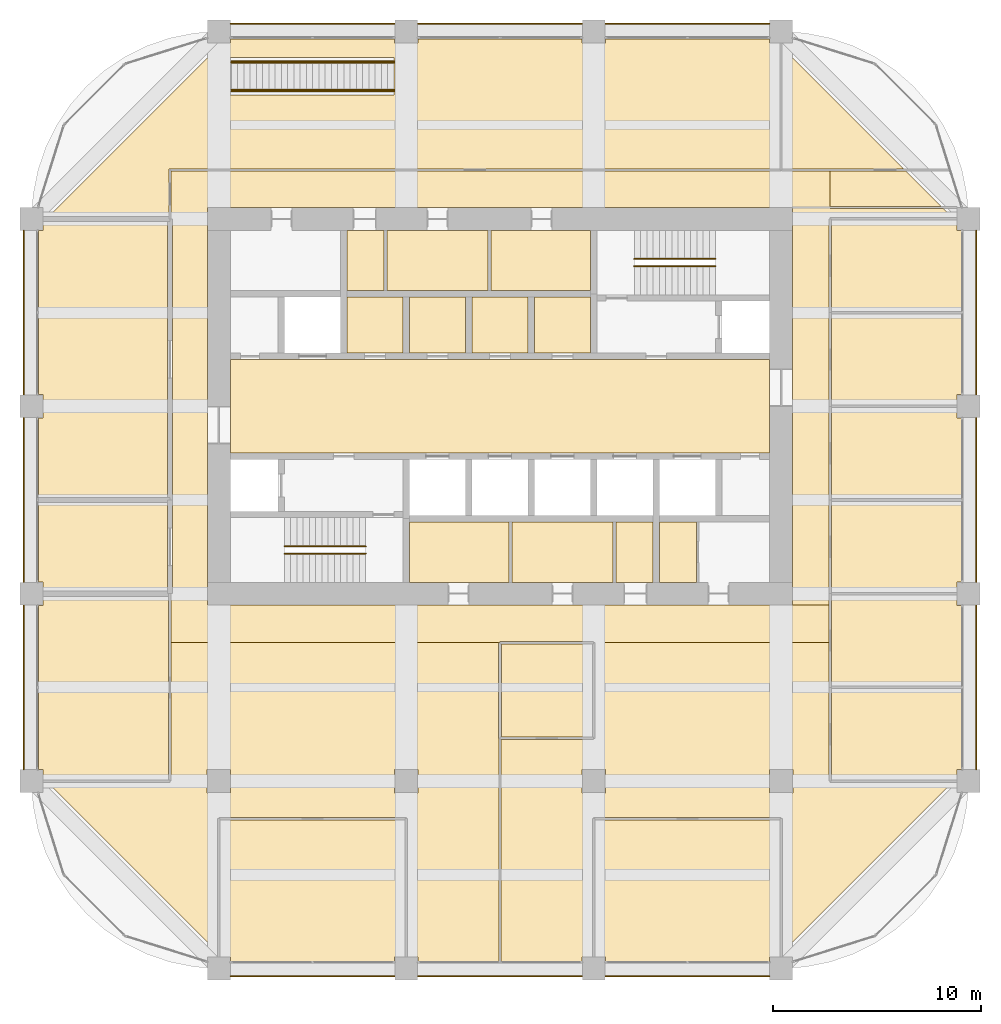
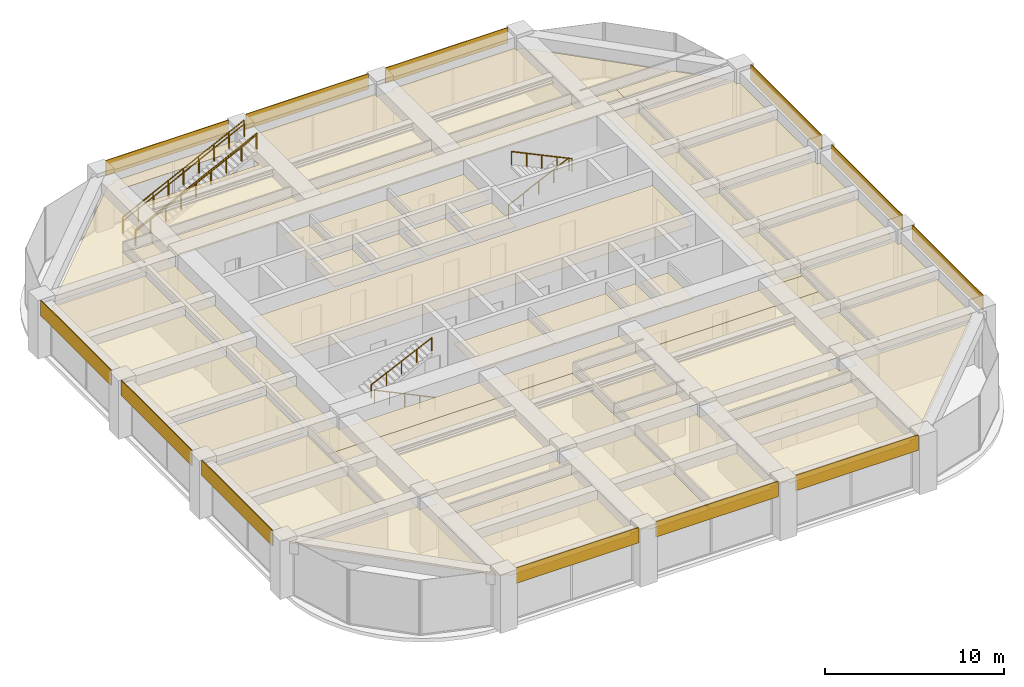
# One storey, part 44 of 44: 43 coverings, 8 railings.
"""IFC4 building model written with IfcOpenShell, lengths in metres."""

from ifc_helpers import new_model, si_unit, direction, frame, frame_2d, origin, origin_2d, place, context, subcontext, project, spatial, polyline, rectangle, circle, outline, extrude, material, layer, layer_set, type_object, element, save


model = new_model("IFC4")

# Units and contexts
model_context = context("Model", 3, precision=1e-05, world=origin(), true_north=direction((0.0, 1.0)))
body_context = subcontext(model_context, "Body", "Model", "MODEL_VIEW")
ifc_project = project(units=[si_unit("LENGTHUNIT", "METRE"), si_unit("AREAUNIT", "SQUARE_METRE"), si_unit("VOLUMEUNIT", "CUBIC_METRE"), si_unit("PLANEANGLEUNIT", "RADIAN"), si_unit("MASSUNIT", "GRAM", prefix="KILO")], contexts=[model_context])

# Site, building, storey
site_placement = place(None, origin())
site = spatial("IfcSite", under=ifc_project, at=site_placement, CompositionType="ELEMENT")
building_placement = place(site_placement, origin())
building = spatial("IfcBuilding", under=site, at=building_placement, Name="Zorevar Civic Tower", CompositionType="ELEMENT")
storey_placement = place(building_placement, frame((0.0, 0.0, 271.39990234375)))
storey = spatial("IfcBuildingStorey", under=building, at=storey_placement, Name="L66", CompositionType="ELEMENT", Elevation=271.39990234375)

# Railings
ifc_material_1 = material(Name="Laminated glass balustrade with black steel handrail", Category="steel")
railing_type_1 = type_object("IfcRailingType", Name="Balustrade BL1 1100", PredefinedType="BALUSTRADE", material=ifc_material_1)
for number, where, name in (
    (1, (18.60009765625, 42.1298828125, 0.148193359375), "Balustrade BL1 interconnecting stair L66"),
    (2, (18.60009765625, 43.570068359375, 0.148193359375), "Balustrade BL1 interconnecting stair L66"),
):
    element("IfcRailing", number, at=place(storey_placement, frame(where)), inside=storey, type_object=railing_type_1, Name=name, PredefinedType="BALUSTRADE", context=body_context, shape_type="SweptSolid", body=[
        extrude(circle(Radius=0.02392578125, at=origin_2d()), frame((0.0, 0.0, 1.076171875), z_axis=(0.896627794226, 0.0, 0.442785047875), x_axis=(0.0, 1.0, 0.0)), (0.0, 0.0, 1.0), 8.698974609375),
        extrude(circle(Radius=0.02099609375, at=origin_2d()), origin(), (0.0, 0.0, 1.0), 1.052001953125),
        extrude(circle(Radius=0.02099609375, at=origin_2d()), frame((0.97509765625, 0.0, 0.4814453125)), (0.0, 0.0, 1.0), 1.052001953125),
        extrude(circle(Radius=0.02099609375, at=origin_2d()), frame((1.949951171875, 0.0, 0.962890625)), (0.0, 0.0, 1.0), 1.052001953125),
        extrude(circle(Radius=0.02099609375, at=origin_2d()), frame((2.9248046875, 0.0, 1.4443359375)), (0.0, 0.0, 1.0), 1.052001953125),
        extrude(circle(Radius=0.02099609375, at=origin_2d()), frame((3.89990234375, 0.0, 1.92578125)), (0.0, 0.0, 1.0), 1.052001953125),
        extrude(circle(Radius=0.02099609375, at=origin_2d()), frame((4.875, 0.0, 2.407470703125)), (0.0, 0.0, 1.0), 1.052001953125),
        extrude(circle(Radius=0.02099609375, at=origin_2d()), frame((5.849853515625, 0.0, 2.888916015625)), (0.0, 0.0, 1.0), 1.052001953125),
        extrude(circle(Radius=0.02099609375, at=origin_2d()), frame((6.82470703125, 0.0, 3.370361328125)), (0.0, 0.0, 1.0), 1.052001953125),
        extrude(circle(Radius=0.02099609375, at=origin_2d()), frame((7.7998046875, 0.0, 3.851806640625)), (0.0, 0.0, 1.0), 1.052001953125),
    ])
ifc_material_2 = material(Name="Black steel handrail", Category="steel")
railing_type_2 = type_object("IfcRailingType", Name="Handrail HR1 900", PredefinedType="HANDRAIL", material=ifc_material_2)
railing_1_placement = place(storey_placement, frame((25.050048828125, 19.925048828125, 0.14306640625)))
element("IfcRailing", 3, at=railing_1_placement, inside=storey, type_object=railing_type_2, Name="Handrail HR1 ST1 L66", PredefinedType="HANDRAIL", context=body_context, shape_type="SweptSolid", body=[
    extrude(circle(Radius=0.02392578125, at=origin_2d()), frame((0.0, 0.0, 0.8759765625), z_axis=(-0.902885590262, 0.0, 0.429880926418), x_axis=(0.0, -1.0, 0.0)), (0.0, 0.0, 1.0), 4.319580078125),
    extrude(circle(Radius=0.02099609375, at=origin_2d()), origin(), (0.0, 0.0, 1.0), 0.851806640625),
    extrude(circle(Radius=0.02099609375, at=origin_2d()), frame((-0.97509765625, 0.0, 0.46435546875)), (0.0, 0.0, 1.0), 0.851806640625),
    extrude(circle(Radius=0.02099609375, at=origin_2d()), frame((-1.9501953125, 0.0, 0.928466796875)), (0.0, 0.0, 1.0), 0.851806640625),
    extrude(circle(Radius=0.02099609375, at=origin_2d()), frame((-2.925048828125, 0.0, 1.392578125)), (0.0, 0.0, 1.0), 0.851806640625),
    extrude(circle(Radius=0.02099609375, at=origin_2d()), frame((-3.900146484375, 0.0, 1.85693359375)), (0.0, 0.0, 1.0), 0.851806640625),
])
for number, where, name in (
    (4, (21.14990234375, 20.27490234375, 2.14306640625), "Handrail HR1 ST1 L66"),
    (5, (37.949951171875, 34.074951171875, 0.14306640625), "Handrail HR1 ST2 L66"),
):
    element("IfcRailing", number, at=place(storey_placement, frame(where)), inside=storey, type_object=railing_type_2, Name=name, PredefinedType="HANDRAIL", context=body_context, shape_type="SweptSolid", body=[
        extrude(circle(Radius=0.02392578125, at=origin_2d()), frame((0.0, 0.0, 0.8759765625), z_axis=(0.902885590262, 0.0, 0.429880926418), x_axis=(0.0, 1.0, 0.0)), (0.0, 0.0, 1.0), 4.319580078125),
        extrude(circle(Radius=0.02099609375, at=origin_2d()), origin(), (0.0, 0.0, 1.0), 0.851806640625),
        extrude(circle(Radius=0.02099609375, at=origin_2d()), frame((0.97509765625, 0.0, 0.46435546875)), (0.0, 0.0, 1.0), 0.851806640625),
        extrude(circle(Radius=0.02099609375, at=origin_2d()), frame((1.9501953125, 0.0, 0.928466796875)), (0.0, 0.0, 1.0), 0.851806640625),
        extrude(circle(Radius=0.02099609375, at=origin_2d()), frame((2.925048828125, 0.0, 1.392578125)), (0.0, 0.0, 1.0), 0.851806640625),
        extrude(circle(Radius=0.02099609375, at=origin_2d()), frame((3.900146484375, 0.0, 1.85693359375)), (0.0, 0.0, 1.0), 0.851806640625),
    ])
railing_2_placement = place(storey_placement, frame((41.85009765625, 33.72509765625, 2.14306640625)))
element("IfcRailing", 6, at=railing_2_placement, inside=storey, type_object=railing_type_2, Name="Handrail HR1 ST2 L66", PredefinedType="HANDRAIL", context=body_context, shape_type="SweptSolid", body=[
    extrude(circle(Radius=0.02392578125, at=origin_2d()), frame((0.0, 0.0, 0.8759765625), z_axis=(-0.902885590262, 0.0, 0.429880926418), x_axis=(0.0, -1.0, 0.0)), (0.0, 0.0, 1.0), 4.319580078125),
    extrude(circle(Radius=0.02099609375, at=origin_2d()), origin(), (0.0, 0.0, 1.0), 0.851806640625),
    extrude(circle(Radius=0.02099609375, at=origin_2d()), frame((-0.97509765625, 0.0, 0.46435546875)), (0.0, 0.0, 1.0), 0.851806640625),
    extrude(circle(Radius=0.02099609375, at=origin_2d()), frame((-1.9501953125, 0.0, 0.928466796875)), (0.0, 0.0, 1.0), 0.851806640625),
    extrude(circle(Radius=0.02099609375, at=origin_2d()), frame((-2.925048828125, 0.0, 1.392578125)), (0.0, 0.0, 1.0), 0.851806640625),
    extrude(circle(Radius=0.02099609375, at=origin_2d()), frame((-3.900146484375, 0.0, 1.85693359375)), (0.0, 0.0, 1.0), 0.851806640625),
])
for number, where, name in (
    (7, (18.60009765625, 42.199951171875, 0.148193359375), "Handrail HR1 interconnecting stair L66"),
    (8, (18.60009765625, 43.5, 0.148193359375), "Handrail HR1 interconnecting stair L66"),
):
    element("IfcRailing", number, at=place(storey_placement, frame(where)), inside=storey, type_object=railing_type_2, Name=name, PredefinedType="HANDRAIL", context=body_context, shape_type="SweptSolid", body=[
        extrude(circle(Radius=0.02392578125, at=origin_2d()), frame((0.0, 0.0, 0.8759765625), z_axis=(0.896627794226, 0.0, 0.442785047875), x_axis=(0.0, 1.0, 0.0)), (0.0, 0.0, 1.0), 8.698974609375),
        extrude(circle(Radius=0.02099609375, at=origin_2d()), origin(), (0.0, 0.0, 1.0), 0.851806640625),
        extrude(circle(Radius=0.02099609375, at=origin_2d()), frame((0.97509765625, 0.0, 0.4814453125)), (0.0, 0.0, 1.0), 0.851806640625),
        extrude(circle(Radius=0.02099609375, at=origin_2d()), frame((1.949951171875, 0.0, 0.962890625)), (0.0, 0.0, 1.0), 0.851806640625),
        extrude(circle(Radius=0.02099609375, at=origin_2d()), frame((2.9248046875, 0.0, 1.4443359375)), (0.0, 0.0, 1.0), 0.851806640625),
        extrude(circle(Radius=0.02099609375, at=origin_2d()), frame((3.89990234375, 0.0, 1.92578125)), (0.0, 0.0, 1.0), 0.851806640625),
        extrude(circle(Radius=0.02099609375, at=origin_2d()), frame((4.875, 0.0, 2.407470703125)), (0.0, 0.0, 1.0), 0.851806640625),
        extrude(circle(Radius=0.02099609375, at=origin_2d()), frame((5.849853515625, 0.0, 2.888916015625)), (0.0, 0.0, 1.0), 0.851806640625),
        extrude(circle(Radius=0.02099609375, at=origin_2d()), frame((6.82470703125, 0.0, 3.370361328125)), (0.0, 0.0, 1.0), 0.851806640625),
        extrude(circle(Radius=0.02099609375, at=origin_2d()), frame((7.7998046875, 0.0, 3.851806640625)), (0.0, 0.0, 1.0), 0.851806640625),
    ])

# Coverings
ifc_material_3 = material(Name="Moisture-resistant gypsum board")
ifc_layer_1 = layer(ifc_material_3, 0.012451171875)
ifc_layer_set_1 = layer_set([ifc_layer_1], Name="Moisture-resistant ceiling SC3")
covering_type_1 = type_object("IfcCoveringType", Name="Moisture-resistant ceiling SC3", PredefinedType="CEILING", material=ifc_layer_set_1)
covering_1_placement = place(storey_placement, frame((0.0, 0.0, 3.0)))
element("IfcCovering", 9, at=covering_1_placement, inside=storey, type_object=covering_type_1, Name="Ceiling L66-05", PredefinedType="CEILING", context=body_context, shape_type="SweptSolid", body=[
    extrude(outline(polyline([(31.925048828125, 18.550048828125), (31.925048828125, 21.449951171875), (27.14990234375, 21.449951171875), (27.14990234375, 18.550048828125), (31.925048828125, 18.550048828125)])), origin(), (0.0, 0.0, 1.0), 0.0126953125),
])
covering_2_placement = place(storey_placement, frame((0.0, 0.0, 3.0)))
element("IfcCovering", 10, at=covering_2_placement, inside=storey, type_object=covering_type_1, Name="Ceiling L66-06", PredefinedType="CEILING", context=body_context, shape_type="SweptSolid", body=[
    extrude(outline(polyline([(36.925048828125, 18.550048828125), (36.925048828125, 21.449951171875), (32.074951171875, 21.449951171875), (32.074951171875, 18.550048828125), (36.925048828125, 18.550048828125)])), origin(), (0.0, 0.0, 1.0), 0.0126953125),
])
covering_3_placement = place(storey_placement, frame((0.0, 0.0, 3.0)))
element("IfcCovering", 11, at=covering_3_placement, inside=storey, type_object=covering_type_1, Name="Ceiling L66-07", PredefinedType="CEILING", context=body_context, shape_type="SweptSolid", body=[
    extrude(outline(polyline([(38.85009765625, 18.550048828125), (38.85009765625, 21.449951171875), (37.074951171875, 21.449951171875), (37.074951171875, 18.550048828125), (38.85009765625, 18.550048828125)])), origin(), (0.0, 0.0, 1.0), 0.0126953125),
])
covering_4_placement = place(storey_placement, frame((0.0, 0.0, 3.0)))
element("IfcCovering", 12, at=covering_4_placement, inside=storey, type_object=covering_type_1, Name="Ceiling L66-08", PredefinedType="CEILING", context=body_context, shape_type="SweptSolid", body=[
    extrude(outline(polyline([(35.85009765625, 32.550048828125), (35.85009765625, 35.449951171875), (31.074951171875, 35.449951171875), (31.074951171875, 32.550048828125), (35.85009765625, 32.550048828125)])), origin(), (0.0, 0.0, 1.0), 0.0126953125),
])
covering_5_placement = place(storey_placement, frame((0.0, 0.0, 3.0)))
element("IfcCovering", 13, at=covering_5_placement, inside=storey, type_object=covering_type_1, Name="Ceiling L66-09", PredefinedType="CEILING", context=body_context, shape_type="SweptSolid", body=[
    extrude(outline(polyline([(30.925048828125, 32.550048828125), (30.925048828125, 35.449951171875), (26.074951171875, 35.449951171875), (26.074951171875, 32.550048828125), (30.925048828125, 32.550048828125)])), origin(), (0.0, 0.0, 1.0), 0.0126953125),
])
covering_6_placement = place(storey_placement, frame((0.0, 0.0, 3.0)))
element("IfcCovering", 14, at=covering_6_placement, inside=storey, type_object=covering_type_1, Name="Ceiling L66-10", PredefinedType="CEILING", context=body_context, shape_type="SweptSolid", body=[
    extrude(outline(polyline([(25.925048828125, 32.550048828125), (25.925048828125, 35.449951171875), (24.14990234375, 35.449951171875), (24.14990234375, 32.550048828125), (25.925048828125, 32.550048828125)])), origin(), (0.0, 0.0, 1.0), 0.0126953125),
])
ifc_material_4 = material(Name="Black anodised aluminium spandrel panel", Category="aluminium")
ifc_layer_2 = layer(ifc_material_4, 0.050048828125)
ifc_layer_set_2 = layer_set([ifc_layer_2], Name="Spandrel cladding SP1")
covering_type_2 = type_object("IfcCoveringType", Name="Spandrel cladding SP1", PredefinedType="CLADDING", material=ifc_layer_set_2)
for number, where, z_axis, x_axis, name in (
    (15, (18.550048828125, -0.375, 2.9501953125), (0.0, 0.0, 1.0), (1.0, 0.0, 0.0), "Spandrel cladding L67"),
    (16, (27.550048828125, -0.375, 2.9501953125), (0.0, 0.0, 1.0), (1.0, 0.0, 0.0), "Spandrel cladding L67"),
    (17, (36.550048828125, -0.375, 2.9501953125), (0.0, 0.0, 1.0), (1.0, 0.0, 0.0), "Spandrel cladding L67"),
    (18, (18.550048828125, 45.375, 2.9501953125), (0.0, 0.0, 1.0), (1.0, 0.0, 0.0), "Spandrel cladding L67"),
    (19, (27.550048828125, 45.375, 2.9501953125), (0.0, 0.0, 1.0), (1.0, 0.0, 0.0), "Spandrel cladding L67"),
    (20, (36.550048828125, 45.375, 2.9501953125), (0.0, 0.0, 1.0), (1.0, 0.0, 0.0), "Spandrel cladding L67"),
    (21, (8.625, 9.550048828125, 2.9501953125), (0.0, 0.0, 1.0), (0.0, 1.0, 0.0), "Spandrel cladding L67"),
    (22, (8.625, 18.550048828125, 2.9501953125), (0.0, 0.0, 1.0), (0.0, 1.0, 0.0), "Spandrel cladding L67"),
    (23, (8.625, 27.550048828125, 2.9501953125), (0.0, 0.0, 1.0), (0.0, 1.0, 0.0), "Spandrel cladding L67"),
    (24, (54.375, 9.550048828125, 2.9501953125), (0.0, 0.0, 1.0), (0.0, 1.0, 0.0), "Spandrel cladding L67"),
    (25, (54.375, 18.550048828125, 2.9501953125), (0.0, 0.0, 1.0), (0.0, 1.0, 0.0), "Spandrel cladding L67"),
    (26, (54.375, 27.550048828125, 2.9501953125), (0.0, 0.0, 1.0), (0.0, 1.0, 0.0), "Spandrel cladding L67"),
):
    element("IfcCovering", number, at=place(storey_placement, frame(where, z_axis=z_axis, x_axis=x_axis)), inside=storey, type_object=covering_type_2, Name=name, PredefinedType="CLADDING", context=body_context, shape_type="SweptSolid", body=[
        extrude(rectangle(XDim=7.89990234375, YDim=0.050048828125, at=frame_2d((3.949951171875, 0.0))), origin(), (0.0, 0.0, 1.0), 1.0498046875),
    ])
ifc_material_5 = material(Name="Mineral fibre tiles on a concealed grid")
ifc_layer_3 = layer(ifc_material_5, 0.02001953125)
ifc_layer_set_3 = layer_set([ifc_layer_3], Name="Suspended ceiling SC1")
covering_type_3 = type_object("IfcCoveringType", Name="Suspended ceiling SC1", PredefinedType="CEILING", material=ifc_layer_set_3)
covering_7_placement = place(storey_placement, frame((0.0, 0.0, 3.0)))
element("IfcCovering", 27, at=covering_7_placement, inside=storey, type_object=covering_type_3, Name="Ceiling L66-11", PredefinedType="CEILING", context=body_context, shape_type="SweptSolid", body=[
    extrude(outline(polyline([(40.93994140625, 18.550048828125), (40.93994140625, 21.449951171875), (39.14990234375, 21.449951171875), (39.14990234375, 18.550048828125), (40.93994140625, 18.550048828125)])), origin(), (0.0, 0.0, 1.0), 0.02001953125),
])
covering_8_placement = place(storey_placement, frame((0.0, 0.0, 3.0)))
element("IfcCovering", 28, at=covering_8_placement, inside=storey, type_object=covering_type_3, Name="Ceiling L66-16", PredefinedType="CEILING", context=body_context, shape_type="SweptSolid", body=[
    extrude(outline(polyline([(44.449951171875, 24.75), (44.449951171875, 29.25), (18.550048828125, 29.25), (18.550048828125, 24.75), (44.449951171875, 24.75)])), origin(), (0.0, 0.0, 1.0), 0.02001953125),
])
covering_9_placement = place(storey_placement, frame((0.0, 0.0, 3.0)))
element("IfcCovering", 29, at=covering_9_placement, inside=storey, type_object=covering_type_3, Name="Ceiling L66-17", PredefinedType="CEILING", context=body_context, shape_type="SweptSolid", body=[
    extrude(outline(polyline([(35.85009765625, 29.550048828125), (35.85009765625, 32.25), (33.14990234375, 32.25), (33.14990234375, 29.550048828125), (35.85009765625, 29.550048828125)])), origin(), (0.0, 0.0, 1.0), 0.02001953125),
])
covering_10_placement = place(storey_placement, frame((0.0, 0.0, 3.0)))
element("IfcCovering", 30, at=covering_10_placement, inside=storey, type_object=covering_type_3, Name="Ceiling L66-18", PredefinedType="CEILING", context=body_context, shape_type="SweptSolid", body=[
    extrude(outline(polyline([(32.85009765625, 29.550048828125), (32.85009765625, 32.25), (30.14990234375, 32.25), (30.14990234375, 29.550048828125), (32.85009765625, 29.550048828125)])), origin(), (0.0, 0.0, 1.0), 0.02001953125),
])
covering_11_placement = place(storey_placement, frame((0.0, 0.0, 3.0)))
element("IfcCovering", 31, at=covering_11_placement, inside=storey, type_object=covering_type_3, Name="Ceiling L66-19", PredefinedType="CEILING", context=body_context, shape_type="SweptSolid", body=[
    extrude(outline(polyline([(29.85009765625, 29.550048828125), (29.85009765625, 32.25), (27.14990234375, 32.25), (27.14990234375, 29.550048828125), (29.85009765625, 29.550048828125)])), origin(), (0.0, 0.0, 1.0), 0.02001953125),
])
covering_12_placement = place(storey_placement, frame((0.0, 0.0, 3.0)))
element("IfcCovering", 32, at=covering_12_placement, inside=storey, type_object=covering_type_3, Name="Ceiling L66-20", PredefinedType="CEILING", context=body_context, shape_type="SweptSolid", body=[
    extrude(outline(polyline([(26.85009765625, 29.550048828125), (26.85009765625, 32.25), (24.14990234375, 32.25), (24.14990234375, 29.550048828125), (26.85009765625, 29.550048828125)])), origin(), (0.0, 0.0, 1.0), 0.02001953125),
])
covering_13_placement = place(storey_placement, frame((0.0, 0.0, 3.0)))
element("IfcCovering", 33, at=covering_13_placement, inside=storey, type_object=covering_type_3, Name="Ceiling L66-21", PredefinedType="CEILING", context=body_context, shape_type="SweptSolid", body=[
    extrude(outline(polyline([(9.35009765625, 9.56005859375), (9.35009765625, 17.43994140625), (9.56005859375, 17.43994140625), (9.56005859375, 17.875), (15.590087890625, 17.875), (15.590087890625, 9.06005859375), (9.647216796875, 9.06005859375), (9.56005859375, 9.147216796875), (9.56005859375, 9.56005859375), (9.35009765625, 9.56005859375)])), origin(), (0.0, 0.0, 1.0), 0.02001953125),
])
covering_14_placement = place(storey_placement, frame((0.0, 0.0, 3.0)))
element("IfcCovering", 34, at=covering_14_placement, inside=storey, type_object=covering_type_3, Name="Ceiling L66-22", PredefinedType="CEILING", context=body_context, shape_type="SweptSolid", body=[
    extrude(outline(polyline([(15.52490234375, 18.125), (9.56005859375, 18.125), (9.56005859375, 18.56005859375), (9.35009765625, 18.56005859375), (9.35009765625, 22.375), (15.52490234375, 22.375), (15.52490234375, 18.125)])), origin(), (0.0, 0.0, 1.0), 0.02001953125),
])
covering_15_placement = place(storey_placement, frame((0.0, 0.0, 3.0)))
element("IfcCovering", 35, at=covering_15_placement, inside=storey, type_object=covering_type_3, Name="Ceiling L66-23", PredefinedType="CEILING", context=body_context, shape_type="SweptSolid", body=[
    extrude(outline(polyline([(9.56005859375, 26.43994140625), (9.56005859375, 27.56005859375), (9.35009765625, 27.56005859375), (9.35009765625, 35.43994140625), (9.56005859375, 35.43994140625), (9.56005859375, 35.852783203125), (9.58203125, 35.875), (15.52490234375, 35.875), (15.52490234375, 22.625), (9.35009765625, 22.625), (9.35009765625, 26.43994140625), (9.56005859375, 26.43994140625)])), origin(), (0.0, 0.0, 1.0), 0.02001953125),
])
covering_16_placement = place(storey_placement, frame((0.0, 0.0, 3.0)))
element("IfcCovering", 36, at=covering_16_placement, inside=storey, type_object=covering_type_3, Name="Ceiling L66-24", PredefinedType="CEILING", context=body_context, shape_type="SweptSolid", body=[
    extrude(outline(polyline([(53.64990234375, 13.43994140625), (53.64990234375, 9.56005859375), (53.43994140625, 9.56005859375), (53.43994140625, 9.147216796875), (53.352783203125, 9.06005859375), (47.409912109375, 9.06005859375), (47.409912109375, 13.43994140625), (53.64990234375, 13.43994140625)])), origin(), (0.0, 0.0, 1.0), 0.02001953125),
])
covering_17_placement = place(storey_placement, frame((0.0, 0.0, 3.0)))
element("IfcCovering", 37, at=covering_17_placement, inside=storey, type_object=covering_type_3, Name="Ceiling L66-25", PredefinedType="CEILING", context=body_context, shape_type="SweptSolid", body=[
    extrude(outline(polyline([(47.409912109375, 17.93994140625), (53.43994140625, 17.93994140625), (53.43994140625, 17.43994140625), (53.64990234375, 17.43994140625), (53.64990234375, 13.56005859375), (47.409912109375, 13.56005859375), (47.409912109375, 17.93994140625)])), origin(), (0.0, 0.0, 1.0), 0.02001953125),
])
covering_18_placement = place(storey_placement, frame((0.0, 0.0, 3.0)))
element("IfcCovering", 38, at=covering_18_placement, inside=storey, type_object=covering_type_3, Name="Ceiling L66-26", PredefinedType="CEILING", context=body_context, shape_type="SweptSolid", body=[
    extrude(outline(polyline([(47.409912109375, 22.43994140625), (53.64990234375, 22.43994140625), (53.64990234375, 18.56005859375), (53.43994140625, 18.56005859375), (53.43994140625, 18.06005859375), (47.409912109375, 18.06005859375), (47.409912109375, 22.43994140625)])), origin(), (0.0, 0.0, 1.0), 0.02001953125),
])
covering_19_placement = place(storey_placement, frame((0.0, 0.0, 3.0)))
element("IfcCovering", 39, at=covering_19_placement, inside=storey, type_object=covering_type_3, Name="Ceiling L66-27", PredefinedType="CEILING", context=body_context, shape_type="SweptSolid", body=[
    extrude(outline(polyline([(47.409912109375, 26.93994140625), (53.43994140625, 26.93994140625), (53.43994140625, 26.43994140625), (53.64990234375, 26.43994140625), (53.64990234375, 22.56005859375), (47.409912109375, 22.56005859375), (47.409912109375, 26.93994140625)])), origin(), (0.0, 0.0, 1.0), 0.02001953125),
])
covering_20_placement = place(storey_placement, frame((0.0, 0.0, 3.0)))
element("IfcCovering", 40, at=covering_20_placement, inside=storey, type_object=covering_type_3, Name="Ceiling L66-28", PredefinedType="CEILING", context=body_context, shape_type="SweptSolid", body=[
    extrude(outline(polyline([(47.409912109375, 31.43994140625), (53.64990234375, 31.43994140625), (53.64990234375, 27.56005859375), (53.43994140625, 27.56005859375), (53.43994140625, 27.06005859375), (47.409912109375, 27.06005859375), (47.409912109375, 31.43994140625)])), origin(), (0.0, 0.0, 1.0), 0.02001953125),
])
covering_21_placement = place(storey_placement, frame((0.0, 0.0, 3.0)))
element("IfcCovering", 41, at=covering_21_placement, inside=storey, type_object=covering_type_3, Name="Ceiling L66-29", PredefinedType="CEILING", context=body_context, shape_type="SweptSolid", body=[
    extrude(outline(polyline([(53.352783203125, 35.93994140625), (53.43994140625, 35.852783203125), (53.43994140625, 35.43994140625), (53.64990234375, 35.43994140625), (53.64990234375, 31.56005859375), (47.409912109375, 31.56005859375), (47.409912109375, 35.93994140625), (53.352783203125, 35.93994140625)])), origin(), (0.0, 0.0, 1.0), 0.02001953125),
])
covering_22_placement = place(storey_placement, frame((0.0, 0.0, 3.0)))
element("IfcCovering", 42, at=covering_22_placement, inside=storey, type_object=covering_type_3, Name="Ceiling L66-30", PredefinedType="CEILING", context=body_context, shape_type="SweptSolid", body=[
    extrude(outline(polyline([(18.56005859375, 0.56005859375), (18.147216796875, 0.56005859375), (18.06005859375, 0.647216796875), (18.06005859375, 7.139892578125), (26.93994140625, 7.139892578125), (26.93994140625, 0.56005859375), (26.43994140625, 0.56005859375), (26.43994140625, 0.35009765625), (18.56005859375, 0.35009765625), (18.56005859375, 0.56005859375)])), origin(), (0.0, 0.0, 1.0), 0.02001953125),
])
covering_23_placement = place(storey_placement, frame((0.0, 0.0, 3.0)))
element("IfcCovering", 43, at=covering_23_placement, inside=storey, type_object=covering_type_3, Name="Ceiling L66-31", PredefinedType="CEILING", context=body_context, shape_type="SweptSolid", body=[
    extrude(outline(polyline([(36.56005859375, 0.56005859375), (36.06005859375, 0.56005859375), (36.06005859375, 7.139892578125), (44.93994140625, 7.139892578125), (44.93994140625, 0.647216796875), (44.852783203125, 0.56005859375), (44.43994140625, 0.56005859375), (44.43994140625, 0.35009765625), (36.56005859375, 0.35009765625), (36.56005859375, 0.56005859375)])), origin(), (0.0, 0.0, 1.0), 0.02001953125),
])
covering_24_placement = place(storey_placement, frame((0.0, 0.0, 3.0)))
element("IfcCovering", 44, at=covering_24_placement, inside=storey, type_object=covering_type_3, Name="Ceiling L66-32", PredefinedType="CEILING", context=body_context, shape_type="SweptSolid", body=[
    extrude(outline(polyline([(31.56005859375, 11.110107421875), (31.56005859375, 15.590087890625), (35.93994140625, 15.590087890625), (35.93994140625, 11.110107421875), (31.56005859375, 11.110107421875)])), origin(), (0.0, 0.0, 1.0), 0.02001953125),
])
covering_25_placement = place(storey_placement, frame((0.0, 0.0, 3.0)))
element("IfcCovering", 45, at=covering_25_placement, inside=storey, type_object=covering_type_3, Name="Ceiling L66-33", PredefinedType="CEILING", context=body_context, shape_type="SweptSolid", body=[
    extrude(outline(polyline([(45.050048828125, 38.39990234375), (45.050048828125, 44.242919921875), (50.892822265625, 38.39990234375), (45.050048828125, 38.39990234375)])), origin(), (0.0, 0.0, 1.0), 0.02001953125),
])
covering_26_placement = place(storey_placement, frame((0.0, 0.0, 3.0)))
element("IfcCovering", 46, at=covering_26_placement, inside=storey, type_object=covering_type_3, Name="Ceiling L66-34", PredefinedType="CEILING", context=body_context, shape_type="SweptSolid", body=[
    extrude(outline(polyline([(47.2900390625, 15.64990234375), (36.0, 15.64990234375), (36.0, 15.7099609375), (31.5, 15.7099609375), (31.5, 15.64990234375), (15.7099609375, 15.64990234375), (15.7099609375, 18.0), (15.77490234375, 18.0), (15.77490234375, 36.0), (15.699951171875, 36.0), (15.699951171875, 38.300048828125), (45.0, 38.300048828125), (45.0, 38.35009765625), (45.01904296875, 38.35009765625), (45.01904296875, 38.300048828125), (47.35009765625, 38.300048828125), (47.35009765625, 36.550048828125), (17.449951171875, 36.550048828125), (17.449951171875, 17.449951171875), (47.2900390625, 17.449951171875), (47.2900390625, 15.64990234375)])), origin(), (0.0, 0.0, 1.0), 0.02001953125),
])
covering_27_placement = place(storey_placement, frame((0.0, 0.0, 3.0)))
element("IfcCovering", 47, at=covering_27_placement, inside=storey, type_object=covering_type_3, Name="Ceiling L66-35", PredefinedType="CEILING", context=body_context, shape_type="SweptSolid", body=[
    extrude(outline(polyline([(47.35009765625, 36.0), (47.2900390625, 36.0), (47.2900390625, 17.449951171875), (45.550048828125, 17.449951171875), (45.550048828125, 36.550048828125), (47.35009765625, 36.550048828125), (47.35009765625, 36.5), (52.79296875, 36.5), (53.23291015625, 36.06005859375), (47.35009765625, 36.06005859375), (47.35009765625, 36.0)])), origin(), (0.0, 0.0, 1.0), 0.02001953125),
])
covering_28_placement = place(storey_placement, frame((0.0, 0.0, 3.0)))
element("IfcCovering", 48, at=covering_28_placement, inside=storey, type_object=covering_type_3, Name="Ceiling L66-36", PredefinedType="CEILING", context=body_context, shape_type="SweptSolid", body=[
    extrude(outline(polyline([(18.56005859375, 44.43994140625), (18.56005859375, 44.64892578125), (26.43994140625, 44.64892578125), (26.43994140625, 44.43994140625), (27.56005859375, 44.43994140625), (27.56005859375, 44.64892578125), (35.43994140625, 44.64892578125), (35.43994140625, 44.43994140625), (36.56005859375, 44.43994140625), (36.56005859375, 44.64892578125), (44.43994140625, 44.64892578125), (44.43994140625, 44.43994140625), (44.852783203125, 44.43994140625), (44.948974609375, 44.343994140625), (44.948974609375, 38.40087890625), (15.599853515625, 38.40087890625), (15.60009765625, 36.125), (9.83203125, 36.125), (18.147216796875, 44.43994140625), (18.56005859375, 44.43994140625)]), holes=[polyline([(18.5, 41.949951171875), (26.39990234375, 41.949951171875), (26.39990234375, 43.75), (18.5, 43.75), (18.5, 41.949951171875)])]), origin(), (0.0, 0.0, 1.0), 0.02001953125),
])
covering_29_placement = place(storey_placement, frame((0.0, 0.0, 3.0)))
element("IfcCovering", 49, at=covering_29_placement, inside=storey, type_object=covering_type_3, Name="Ceiling L66-37", PredefinedType="CEILING", context=body_context, shape_type="SweptSolid", body=[
    extrude(outline(polyline([(47.35009765625, 36.60009765625), (47.35009765625, 38.300048828125), (50.992919921875, 38.300048828125), (52.69287109375, 36.60009765625), (47.35009765625, 36.60009765625)])), origin(), (0.0, 0.0, 1.0), 0.02001953125),
])
covering_30_placement = place(storey_placement, frame((0.0, 0.0, 3.0)))
element("IfcCovering", 50, at=covering_30_placement, inside=storey, type_object=covering_type_3, Name="Ceiling L66-38", PredefinedType="CEILING", context=body_context, shape_type="SweptSolid", body=[
    extrude(outline(polyline([(15.64990234375, 8.93994140625), (15.64990234375, 9.0), (15.7099609375, 9.0), (15.7099609375, 15.64990234375), (31.43994140625, 15.64990234375), (31.43994140625, 11.050048828125), (31.449951171875, 11.050048828125), (31.449951171875, 0.35009765625), (27.56005859375, 0.35009765625), (27.56005859375, 0.56005859375), (27.06005859375, 0.56005859375), (27.06005859375, 7.199951171875), (27.0, 7.199951171875), (27.0, 7.260009765625), (18.0, 7.260009765625), (18.0, 7.199951171875), (17.93994140625, 7.199951171875), (17.93994140625, 0.76708984375), (9.76708984375, 8.93994140625), (15.64990234375, 8.93994140625)]), holes=[polyline([(18.56005859375, 8.43994140625), (18.56005859375, 9.56005859375), (17.43994140625, 9.56005859375), (17.43994140625, 8.43994140625), (18.56005859375, 8.43994140625)]), polyline([(26.43994140625, 9.56005859375), (26.43994140625, 8.43994140625), (27.56005859375, 8.43994140625), (27.56005859375, 9.56005859375), (26.43994140625, 9.56005859375)])]), origin(), (0.0, 0.0, 1.0), 0.02001953125),
])
covering_31_placement = place(storey_placement, frame((0.0, 0.0, 3.0)))
element("IfcCovering", 51, at=covering_31_placement, inside=storey, type_object=covering_type_3, Name="Ceiling L66-39", PredefinedType="CEILING", context=body_context, shape_type="SweptSolid", body=[
    extrude(outline(polyline([(45.06005859375, 7.199951171875), (45.0, 7.199951171875), (45.0, 7.260009765625), (36.0, 7.260009765625), (36.0, 7.199951171875), (35.93994140625, 7.199951171875), (35.93994140625, 0.56005859375), (35.43994140625, 0.56005859375), (35.43994140625, 0.35009765625), (31.550048828125, 0.35009765625), (31.550048828125, 10.989990234375), (36.0, 10.989990234375), (36.0, 11.050048828125), (36.06005859375, 11.050048828125), (36.06005859375, 15.64990234375), (47.2900390625, 15.64990234375), (47.2900390625, 9.0), (47.35009765625, 9.0), (47.35009765625, 8.93994140625), (53.23291015625, 8.93994140625), (45.06005859375, 0.76708984375), (45.06005859375, 7.199951171875)]), holes=[polyline([(36.56005859375, 9.56005859375), (35.43994140625, 9.56005859375), (35.43994140625, 8.43994140625), (36.56005859375, 8.43994140625), (36.56005859375, 9.56005859375)]), polyline([(44.43994140625, 8.43994140625), (45.56005859375, 8.43994140625), (45.56005859375, 9.56005859375), (44.43994140625, 9.56005859375), (44.43994140625, 8.43994140625)])]), origin(), (0.0, 0.0, 1.0), 0.02001953125),
])

save(model, "model.ifc")
